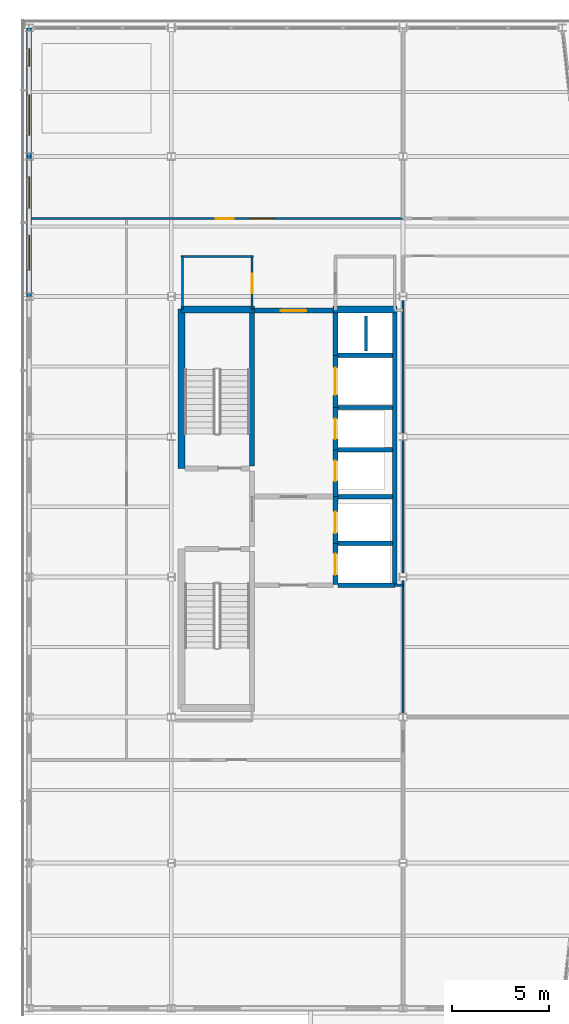
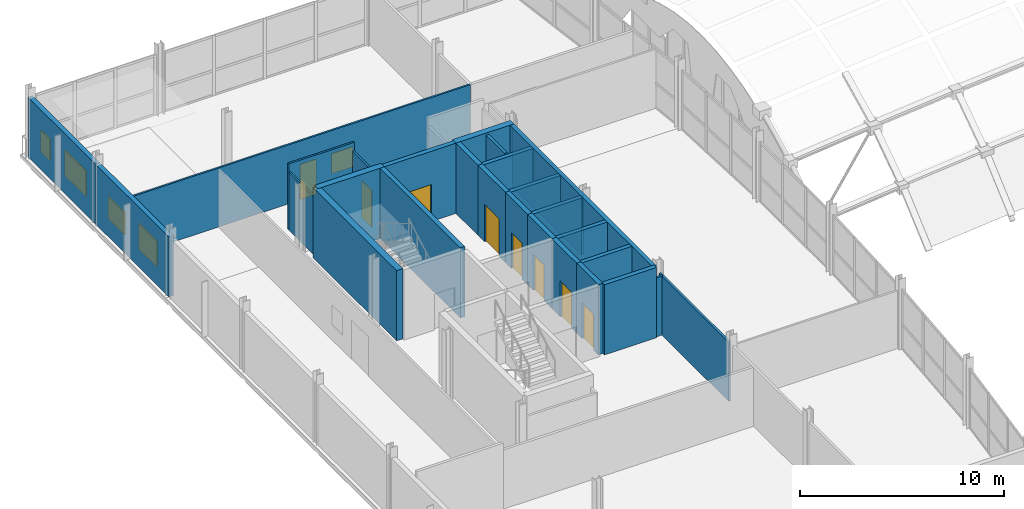
# One storey, part 55 of 65: 29 walls, 8 doors, 5 windows, 13 openings.
"""IFC4 building model written with IfcOpenShell, lengths in metres."""

from ifc_helpers import new_model, si_unit, direction, frame, frame_2d, origin, place, context, subcontext, project, spatial, rectangle, extrude, material, layer, layer_set, type_object, element, fill, save


model = new_model("IFC4")

# Units and contexts
model_context = context("Model", 3, precision=1e-05, world=origin(), true_north=direction((0.0, 1.0)))
body_context = subcontext(model_context, "Body", "Model", "MODEL_VIEW")
ifc_project = project(units=[si_unit("LENGTHUNIT", "METRE"), si_unit("AREAUNIT", "SQUARE_METRE"), si_unit("VOLUMEUNIT", "CUBIC_METRE"), si_unit("PLANEANGLEUNIT", "RADIAN"), si_unit("MASSUNIT", "GRAM", prefix="KILO")], contexts=[model_context])

# Site, building, storey
site_placement = place(None, origin())
site = spatial("IfcSite", under=ifc_project, at=site_placement, CompositionType="ELEMENT")
building_placement = place(site_placement, origin())
building = spatial("IfcBuilding", under=site, at=building_placement, Name="Quillay Park Conservatory", CompositionType="ELEMENT")
storey_placement = place(building_placement, frame((0.0, 0.0, 14.10009765625)))
storey = spatial("IfcBuildingStorey", under=building, at=storey_placement, Name="L03", CompositionType="ELEMENT", Elevation=14.10009765625)

# Wall, openings, window, door
ifc_material_1 = material(Name="Steel-Stud Acoustic Gypsum Board Partition", Category="steel")
ifc_layer_1 = layer(ifc_material_1, 0.10009765625)
ifc_layer_set_1 = layer_set([ifc_layer_1], Name="ACOUSTIC GYPSUM PARTITION 100 (Steel-Stud Acoustic Gypsum Board Partition)")
wall_type_1 = type_object("IfcWallType", Name="ACOUSTIC GYPSUM PARTITION 100", PredefinedType="PARTITIONING", material=ifc_layer_set_1)
wall_1_placement = place(storey_placement, frame((0.64990234375, 103.60009765625, 0.0), z_axis=(0.0, 0.0, 1.0), x_axis=(1.0, 0.0, 0.0)))
wall_1 = element("IfcWall", 1, at=wall_1_placement, inside=storey, type_object=wall_type_1, Name="L03 Chromatography Mass-Spectrometry Suite South Wall", PredefinedType="PARTITIONING", context=body_context, shape_type="SweptSolid", body=[
    extrude(rectangle(XDim=19.10009765625, YDim=0.10009765625, at=frame_2d((9.550048828125, 0.0))), origin(), (0.0, 0.0, 1.0), 3.52685546875),
])
opening_1_placement = place(wall_1_placement, frame((9.489990234375, 0.0, 0.0)))
opening_1 = element("IfcOpeningElement", 2, at=opening_1_placement, cuts=wall_1, Name="Opening D-RM01", PredefinedType="OPENING", context=body_context, shape_type="SweptSolid", body=[
    extrude(rectangle(XDim=0.919921875, YDim=2.10009765625, at=frame_2d((0.4599609375, 1.050048828125))), frame((0.0, 0.050048828125, 0.0), z_axis=(0.0, -1.0, 0.0), x_axis=(1.0, 0.0, 0.0)), (0.0, 0.0, 1.0), 0.10009765625),
])
opening_2_placement = place(wall_1_placement, frame((11.260009765625, 0.0, 0.919921875)))
opening_2 = element("IfcOpeningElement", 3, at=opening_2_placement, cuts=wall_1, Name="Opening W-IN07", PredefinedType="OPENING", context=body_context, shape_type="SweptSolid", body=[
    extrude(rectangle(XDim=1.199951171875, YDim=1.199951171875, at=frame_2d((0.60009765625, 0.60009765625))), frame((0.0, 0.050048828125, 0.0), z_axis=(0.0, -1.0, 0.0), x_axis=(1.0, 0.0, 0.0)), (0.0, 0.0, 1.0), 0.10009765625),
])
ifc_material_2 = material(Name="Low-E Double Glazing (Laminated Tempered)", Category="glass")
window_type_1 = type_object("IfcWindowType", Name="OPERABLE VENT WINDOW 1200 X1200", PartitioningType="SINGLE_PANEL", PredefinedType="WINDOW", material=ifc_material_2)
window_1_placement = place(opening_2_placement, origin())
window_1 = element("IfcWindow", 4, at=window_1_placement, inside=storey, type_object=window_type_1, Name="L03 Laboratory Vision Panel 019", OverallHeight=1.199951171875, OverallWidth=1.199951171875, PartitioningType="SINGLE_PANEL", PredefinedType="WINDOW", context=body_context, shape_type="SweptSolid", body=[
    extrude(rectangle(XDim=1.199951171875, YDim=1.199951171875, at=frame_2d((0.60009765625, 0.60009765625))), frame((0.0, 0.030029296875, 0.0), z_axis=(0.0, -1.0, 0.0), x_axis=(1.0, 0.0, 0.0)), (0.0, 0.0, 1.0), 0.06005859375),
])
fill(opening_2, window_1)
ifc_material_3 = material(Name="Thermally Broken Anodised Aluminium 6063-T6", Category="aluminium")
door_type_1 = type_object("IfcDoorType", Name="SINGLE SWING DOOR 920 X2100", OperationType="NOTDEFINED", PredefinedType="DOOR", material=ifc_material_3)
door_1_placement = place(opening_1_placement, origin())
door_1 = element("IfcDoor", 5, at=door_1_placement, inside=storey, type_object=door_type_1, Name="L03 Door to Chromatography Mass-Spectrometry Suite", OperationType="SINGLE_SWING_LEFT", OverallHeight=2.10009765625, OverallWidth=0.919921875, PredefinedType="DOOR", context=body_context, shape_type="SweptSolid", body=[
    extrude(rectangle(XDim=0.919921875, YDim=2.10009765625, at=frame_2d((0.4599609375, 1.050048828125))), frame((0.0, 0.02490234375, 0.0), z_axis=(0.0, -1.0, 0.0), x_axis=(1.0, 0.0, 0.0)), (0.0, 0.0, 1.0), 0.050048828125),
])
fill(opening_1, door_1)

# Wall, opening, door
ifc_material_4 = material(Name="Steel-Stud Acoustic Gypsum Board Partition", Category="steel")
ifc_layer_2 = layer(ifc_material_4, 0.10498046875)
ifc_layer_set_2 = layer_set([ifc_layer_2], Name="ACOUSTIC GYPSUM PARTITION 105 (Steel-Stud Acoustic Gypsum Board Partition)")
wall_type_2 = type_object("IfcWallType", Name="ACOUSTIC GYPSUM PARTITION 105", PredefinedType="PARTITIONING", material=ifc_layer_set_2)
wall_2_placement = place(storey_placement, frame((12.0, 101.60009765625, 0.0), z_axis=(0.0, 0.0, 1.0), x_axis=(0.0, -1.0, 0.0)))
wall_2 = element("IfcWall", 6, at=wall_2_placement, inside=storey, type_object=wall_type_2, Name="L03 Accessible WC Door Wall", PredefinedType="PARTITIONING", context=body_context, shape_type="SweptSolid", body=[
    extrude(rectangle(XDim=2.68017578125, YDim=0.10498046875, at=frame_2d((1.340087890625, 0.0))), origin(), (0.0, 0.0, 1.0), 3.450927734375),
])
opening_3_placement = place(wall_2_placement, frame((0.840087890625, 0.0, 0.0)))
opening_3 = element("IfcOpeningElement", 7, at=opening_3_placement, cuts=wall_2, Name="Opening D-RM14", PredefinedType="OPENING", context=body_context, shape_type="SweptSolid", body=[
    extrude(rectangle(XDim=1.0, YDim=2.199951171875, at=frame_2d((0.5, 1.10009765625))), frame((0.0, 0.052490234375, 0.0), z_axis=(0.0, -1.0, 0.0), x_axis=(1.0, 0.0, 0.0)), (0.0, 0.0, 1.0), 0.10498046875),
])
ifc_material_5 = material(Name="Thermally Broken Anodised Aluminium 6063-T6", Category="aluminium")
door_type_2 = type_object("IfcDoorType", Name="SINGLE SWING DOOR 1000 X2200", OperationType="NOTDEFINED", PredefinedType="DOOR", material=ifc_material_5)
door_2_placement = place(opening_3_placement, origin())
door_2 = element("IfcDoor", 8, at=door_2_placement, inside=storey, type_object=door_type_2, Name="L03 Door to L03 Accessible WC", OperationType="SINGLE_SWING_LEFT", OverallHeight=2.199951171875, OverallWidth=1.0, PredefinedType="DOOR", context=body_context, shape_type="SweptSolid", body=[
    extrude(rectangle(XDim=1.0, YDim=2.199951171875, at=frame_2d((0.5, 1.10009765625))), frame((0.0, 0.02490234375, 0.0), z_axis=(0.0, -1.0, 0.0), x_axis=(1.0, 0.0, 0.0)), (0.0, 0.0, 1.0), 0.050048828125),
])
fill(opening_3, door_2)

# Walls
ifc_material_6 = material(Name="Steel-Stud Acoustic Gypsum Board Partition", Category="steel")
ifc_layer_3 = layer(ifc_material_6, 0.110107421875)
ifc_layer_set_3 = layer_set([ifc_layer_3], Name="ACOUSTIC GYPSUM PARTITION 110 (Steel-Stud Acoustic Gypsum Board Partition)")
wall_type_3 = type_object("IfcWallType", Name="ACOUSTIC GYPSUM PARTITION 110", PredefinedType="PARTITIONING", material=ifc_layer_set_3)
wall_3_placement = place(storey_placement, frame((8.360107421875, 101.659912109375, 0.0), z_axis=(0.0, 0.0, 1.0), x_axis=(1.0, 0.0, 0.0)))
element("IfcWall", 9, at=wall_3_placement, inside=storey, type_object=wall_type_3, Name="L03 Accessible WC North Wall", PredefinedType="PARTITIONING", context=body_context, shape_type="SweptSolid", body=[
    extrude(rectangle(XDim=3.699951171875, YDim=0.110107421875, at=frame_2d((1.85009765625, 0.0))), origin(), (0.0, 0.0, 1.0), 3.949951171875),
])
ifc_material_7 = material(Name="Steel-Stud Acoustic Gypsum Board Partition", Category="steel")
ifc_layer_4 = layer(ifc_material_7, 0.114990234375)
ifc_layer_set_4 = layer_set([ifc_layer_4], Name="ACOUSTIC GYPSUM PARTITION 115 (Steel-Stud Acoustic Gypsum Board Partition)")
wall_type_4 = type_object("IfcWallType", Name="ACOUSTIC GYPSUM PARTITION 115", PredefinedType="PARTITIONING", material=ifc_layer_set_4)
wall_4_placement = place(storey_placement, frame((8.419921875, 98.919921875, 0.0), z_axis=(0.0, 0.0, 1.0), x_axis=(0.0, 1.0, 0.0)))
element("IfcWall", 10, at=wall_4_placement, inside=storey, type_object=wall_type_4, Name="L03 Accessible WC West Wall", PredefinedType="PARTITIONING", context=body_context, shape_type="SweptSolid", body=[
    extrude(rectangle(XDim=2.739990234375, YDim=0.114990234375, at=frame_2d((1.3701171875, 0.0))), origin(), (0.0, 0.0, 1.0), 3.450927734375),
])
wall_5_placement = place(storey_placement, frame((19.75, 92.5849609375, 0.0), z_axis=(0.0, 0.0, 1.0), x_axis=(0.0, 1.0, 0.0)))
element("IfcWall", 11, at=wall_5_placement, inside=storey, type_object=wall_type_4, Name="L03 Secondary Metabolite Bioassay Laboratory West Wall 3", PredefinedType="PARTITIONING", context=body_context, shape_type="SweptSolid", body=[
    extrude(rectangle(XDim=6.822509765625, YDim=0.114990234375, at=frame_2d((3.4111328125, 0.0))), origin(), (0.0, 0.0, 1.0), 3.52685546875),
])
ifc_material_8 = material(Name="Steel-Stud Acoustic Gypsum Board Partition", Category="steel")
ifc_layer_5 = layer(ifc_material_8, 0.1201171875)
ifc_layer_set_5 = layer_set([ifc_layer_5], Name="ACOUSTIC GYPSUM PARTITION 120 (Steel-Stud Acoustic Gypsum Board Partition)")
wall_type_5 = type_object("IfcWallType", Name="ACOUSTIC GYPSUM PARTITION 120", PredefinedType="PARTITIONING", material=ifc_layer_set_5)
wall_6_placement = place(storey_placement, frame((19.75, 85.392578125, 0.0), z_axis=(0.0, 0.0, 1.0), x_axis=(0.0, 1.0, 0.0)))
element("IfcWall", 12, at=wall_6_placement, inside=storey, type_object=wall_type_5, Name="L03 Secondary Metabolite Bioassay Laboratory West Wall 2", PredefinedType="PARTITIONING", context=body_context, shape_type="SweptSolid", body=[
    extrude(rectangle(XDim=6.822509765625, YDim=0.1201171875, at=frame_2d((3.4111328125, 0.0))), origin(), (0.0, 0.0, 1.0), 3.52685546875),
])
ifc_material_9 = material(Name="Steel-Stud Acoustic Gypsum Board Partition", Category="steel")
ifc_layer_6 = layer(ifc_material_9, 0.125)
ifc_layer_set_6 = layer_set([ifc_layer_6], Name="ACOUSTIC GYPSUM PARTITION 125 (Steel-Stud Acoustic Gypsum Board Partition)")
wall_type_6 = type_object("IfcWallType", Name="ACOUSTIC GYPSUM PARTITION 125", PredefinedType="PARTITIONING", material=ifc_layer_set_6)
wall_7_placement = place(storey_placement, frame((19.320068359375, 84.77490234375, 0.0), z_axis=(0.0, 0.0, 1.0), x_axis=(1.0, 0.0, 0.0)))
element("IfcWall", 13, at=wall_7_placement, inside=storey, type_object=wall_type_6, Name="L03 Core South-East Closure", PredefinedType="PARTITIONING", context=body_context, shape_type="SweptSolid", body=[
    extrude(rectangle(XDim=0.429931640625, YDim=0.125, at=frame_2d((0.21484375, 0.0))), origin(), (0.0, 0.0, 1.0), 3.52685546875),
])
wall_8_placement = place(storey_placement, frame((19.75, 78.18505859375, 0.0), z_axis=(0.0, 0.0, 1.0), x_axis=(0.0, 1.0, 0.0)))
element("IfcWall", 14, at=wall_8_placement, inside=storey, type_object=wall_type_6, Name="L03 Secondary Metabolite Bioassay Laboratory West Wall 1", PredefinedType="PARTITIONING", context=body_context, shape_type="SweptSolid", body=[
    extrude(rectangle(XDim=6.822509765625, YDim=0.125, at=frame_2d((3.4111328125, 0.0))), origin(), (0.0, 0.0, 1.0), 3.52685546875),
])
ifc_material_10 = material(Name="Concrete C35/45 (NCh170 Concrete C35/45)", Category="concrete")
ifc_layer_7 = layer(ifc_material_10, 0.22509765625)
ifc_layer_set_7 = layer_set([ifc_layer_7], Name="CORE SHEAR WALL 225 (Concrete C35/45 (NCh170 Concrete C35/45))")
wall_type_7 = type_object("IfcWallType", Name="CORE SHEAR WALL 225", PredefinedType="SHEAR", material=ifc_layer_set_7)
wall_9_placement = place(storey_placement, frame((19.320068359375, 84.800048828125, 0.0), z_axis=(0.0, 0.0, 1.0), x_axis=(0.0, 1.0, 0.0)))
element("IfcWall", 15, at=wall_9_placement, inside=storey, type_object=wall_type_7, Name="L03 Core Shear Wall WL-LFBACK-L03", PredefinedType="SHEAR", context=body_context, shape_type="SweptSolid", body=[
    extrude(rectangle(XDim=13.949951171875, YDim=0.22509765625, at=frame_2d((6.97509765625, 0.0))), origin(), (0.0, 0.0, 1.0), 4.199951171875),
])
for number, where, z_axis, x_axis, name in (
    (16, (16.39990234375, 86.925048828125, 0.0), (0.0, 0.0, 1.0), (1.0, 0.0, 0.0), "L03 Core Shear Wall WL-LFDIV-L03-869"),
    (17, (16.39990234375, 89.324951171875, 0.0), (0.0, 0.0, 1.0), (1.0, 0.0, 0.0), "L03 Core Shear Wall WL-LFDIV-L03-893"),
    (18, (16.39990234375, 91.72509765625, 0.0), (0.0, 0.0, 1.0), (1.0, 0.0, 0.0), "L03 Core Shear Wall WL-LFDIV-L03-917"),
    (19, (16.39990234375, 93.89990234375, 0.0), (0.0, 0.0, 1.0), (1.0, 0.0, 0.0), "L03 Core Shear Wall WL-LFDIV-L03-939"),
    (20, (16.39990234375, 96.574951171875, 0.0), (0.0, 0.0, 1.0), (1.0, 0.0, 0.0), "L03 Core Shear Wall WL-LFDIV-L03-965"),
):
    element("IfcWall", number, at=place(storey_placement, frame(where, z_axis=z_axis, x_axis=x_axis)), inside=storey, type_object=wall_type_7, Name=name, PredefinedType="SHEAR", context=body_context, shape_type="SweptSolid", body=[
        extrude(rectangle(XDim=2.800048828125, YDim=0.22509765625, at=frame_2d((1.39990234375, 0.0))), origin(), (0.0, 0.0, 1.0), 4.199951171875),
    ])
ifc_material_11 = material(Name="Concrete C40/50 (NCh170 Concrete C40/50)", Category="concrete")
ifc_layer_8 = layer(ifc_material_11, 0.25)
ifc_layer_set_8 = layer_set([ifc_layer_8], Name="CORE SHEAR WALL 250 (Concrete C40/50 (NCh170 Concrete C40/50))")
wall_type_8 = type_object("IfcWallType", Name="CORE SHEAR WALL 250", PredefinedType="SHEAR", material=ifc_layer_set_8)
wall_10_placement = place(storey_placement, frame((11.9951171875, 90.89990234375, 0.0), z_axis=(0.0, 0.0, 1.0), x_axis=(0.0, 1.0, 0.0)))
element("IfcWall", 21, at=wall_10_placement, inside=storey, type_object=wall_type_8, Name="L03 Core Shear Wall WL-T1E-L03", PredefinedType="SHEAR", context=body_context, shape_type="SweptSolid", body=[
    extrude(rectangle(XDim=7.85009765625, YDim=0.25, at=frame_2d((3.925048828125, 0.0))), origin(), (0.0, 0.0, 1.0), 4.199951171875),
])

# Wall, opening, door
wall_11_placement = place(storey_placement, frame((12.1201171875, 98.875, 0.0), z_axis=(0.0, 0.0, 1.0), x_axis=(1.0, 0.0, 0.0)))
wall_11 = element("IfcWall", 22, at=wall_11_placement, inside=storey, type_object=wall_type_8, Name="L03 Core Shear Wall WL-PAXN-L03", PredefinedType="SHEAR", context=body_context, shape_type="SweptSolid", body=[
    extrude(rectangle(XDim=4.02978515625, YDim=0.25, at=frame_2d((2.014892578125, 0.0))), origin(), (0.0, 0.0, 1.0), 4.199951171875),
])
opening_4_placement = place(wall_11_placement, frame((1.35009765625, 0.0, 0.0)))
opening_4 = element("IfcOpeningElement", 23, at=opening_4_placement, cuts=wall_11, Name="Opening D-LB02", PredefinedType="OPENING", context=body_context, shape_type="SweptSolid", body=[
    extrude(rectangle(XDim=1.300048828125, YDim=2.199951171875, at=frame_2d((0.64990234375, 1.10009765625))), frame((0.0, 0.125, 0.0), z_axis=(0.0, -1.0, 0.0), x_axis=(1.0, 0.0, 0.0)), (0.0, 0.0, 1.0), 0.25),
])
ifc_material_12 = material(Name="Steel ASTM A572 Grade 50", Category="steel")
door_type_3 = type_object("IfcDoorType", Name="FIRE RATED LOBBY DOOR 1300 X2200", OperationType="NOTDEFINED", PredefinedType="DOOR", material=ifc_material_12)
door_3_placement = place(opening_4_placement, origin())
door_3 = element("IfcDoor", 24, at=door_3_placement, inside=storey, type_object=door_type_3, Name="L03 North Lift Lobby Door", OperationType="SINGLE_SWING_RIGHT", OverallHeight=2.199951171875, OverallWidth=1.300048828125, PredefinedType="DOOR", context=body_context, shape_type="SweptSolid", body=[
    extrude(rectangle(XDim=1.300048828125, YDim=2.199951171875, at=frame_2d((0.64990234375, 1.10009765625))), frame((0.0, 0.02490234375, 0.0), z_axis=(0.0, -1.0, 0.0), x_axis=(1.0, 0.0, 0.0)), (0.0, 0.0, 1.0), 0.050048828125),
])
fill(opening_4, door_3)

# Wall
wall_12_placement = place(storey_placement, frame((16.39990234375, 84.77490234375, 0.0), z_axis=(0.0, 0.0, 1.0), x_axis=(1.0, 0.0, 0.0)))
element("IfcWall", 25, at=wall_12_placement, inside=storey, type_object=wall_type_8, Name="L03 Core Shear Wall WL-LFSO-L03", PredefinedType="SHEAR", context=body_context, shape_type="SweptSolid", body=[
    extrude(rectangle(XDim=2.9501953125, YDim=0.25, at=frame_2d((1.47509765625, 0.0))), origin(), (0.0, 0.0, 1.0), 4.199951171875),
])

# Wall, opening, door
wall_13_placement = place(storey_placement, frame((16.27490234375, 84.800048828125, 0.0), z_axis=(0.0, 0.0, 1.0), x_axis=(0.0, 1.0, 0.0)))
wall_13 = element("IfcWall", 26, at=wall_13_placement, inside=storey, type_object=wall_type_8, Name="L03 Core Shear Wall WL-LFFR-L03-LF-FF1", PredefinedType="SHEAR", context=body_context, shape_type="SweptSolid", body=[
    extrude(rectangle(XDim=2.125, YDim=0.25, at=frame_2d((1.0625, 0.0))), origin(), (0.0, 0.0, 1.0), 4.199951171875),
])
opening_5_placement = place(wall_13_placement, frame((0.5, 0.0, 0.0)))
opening_5 = element("IfcOpeningElement", 27, at=opening_5_placement, cuts=wall_13, Name="Opening LD01", PredefinedType="OPENING", context=body_context, shape_type="SweptSolid", body=[
    extrude(rectangle(XDim=1.10009765625, YDim=2.14990234375, at=frame_2d((0.550048828125, 1.074951171875))), frame((0.0, 0.125, 0.0), z_axis=(0.0, -1.0, 0.0), x_axis=(1.0, 0.0, 0.0)), (0.0, 0.0, 1.0), 0.25),
])
ifc_material_13 = material(Name="Steel ASTM A572 Grade 50", Category="steel")
door_type_4 = type_object("IfcDoorType", Name="LIFT LANDING SLIDING DOOR 1100 X2150", OperationType="NOTDEFINED", PredefinedType="DOOR", material=ifc_material_13)
door_4_placement = place(opening_5_placement, origin())
door_4 = element("IfcDoor", 28, at=door_4_placement, inside=storey, type_object=door_type_4, Name="L03 LF-FF1 Lift Landing Door LD01", OperationType="SLIDING_TO_LEFT", OverallHeight=2.14990234375, OverallWidth=1.10009765625, PredefinedType="DOOR", context=body_context, shape_type="SweptSolid", body=[
    extrude(rectangle(XDim=1.10009765625, YDim=2.14990234375, at=frame_2d((0.550048828125, 1.074951171875))), frame((0.0, 0.02490234375, 0.0), z_axis=(0.0, -1.0, 0.0), x_axis=(1.0, 0.0, 0.0)), (0.0, 0.0, 1.0), 0.050048828125),
])
fill(opening_5, door_4)

wall_14_placement = place(storey_placement, frame((16.27490234375, 86.925048828125, 0.0), z_axis=(0.0, 0.0, 1.0), x_axis=(0.0, 1.0, 0.0)))
wall_14 = element("IfcWall", 29, at=wall_14_placement, inside=storey, type_object=wall_type_8, Name="L03 Core Shear Wall WL-LFFR-L03-LF-FF2", PredefinedType="SHEAR", context=body_context, shape_type="SweptSolid", body=[
    extrude(rectangle(XDim=2.39990234375, YDim=0.25, at=frame_2d((1.199951171875, 0.0))), origin(), (0.0, 0.0, 1.0), 4.199951171875),
])
opening_6_placement = place(wall_14_placement, frame((0.52490234375, 0.0, 0.0)))
opening_6 = element("IfcOpeningElement", 30, at=opening_6_placement, cuts=wall_14, Name="Opening LD01", PredefinedType="OPENING", context=body_context, shape_type="SweptSolid", body=[
    extrude(rectangle(XDim=1.10009765625, YDim=2.14990234375, at=frame_2d((0.550048828125, 1.074951171875))), frame((0.0, 0.125, 0.0), z_axis=(0.0, -1.0, 0.0), x_axis=(1.0, 0.0, 0.0)), (0.0, 0.0, 1.0), 0.25),
])
door_5_placement = place(opening_6_placement, origin())
door_5 = element("IfcDoor", 31, at=door_5_placement, inside=storey, type_object=door_type_4, Name="L03 LF-FF2 Lift Landing Door LD01", OperationType="SLIDING_TO_LEFT", OverallHeight=2.14990234375, OverallWidth=1.10009765625, PredefinedType="DOOR", context=body_context, shape_type="SweptSolid", body=[
    extrude(rectangle(XDim=1.10009765625, YDim=2.14990234375, at=frame_2d((0.550048828125, 1.074951171875))), frame((0.0, 0.02490234375, 0.0), z_axis=(0.0, -1.0, 0.0), x_axis=(1.0, 0.0, 0.0)), (0.0, 0.0, 1.0), 0.050048828125),
])
fill(opening_6, door_5)

wall_15_placement = place(storey_placement, frame((16.27490234375, 89.324951171875, 0.0), z_axis=(0.0, 0.0, 1.0), x_axis=(0.0, 1.0, 0.0)))
wall_15 = element("IfcWall", 32, at=wall_15_placement, inside=storey, type_object=wall_type_8, Name="L03 Core Shear Wall WL-LFFR-L03-LF-P1", PredefinedType="SHEAR", context=body_context, shape_type="SweptSolid", body=[
    extrude(rectangle(XDim=2.400146484375, YDim=0.25, at=frame_2d((1.2001953125, 0.0))), origin(), (0.0, 0.0, 1.0), 4.199951171875),
])
opening_7_placement = place(wall_15_placement, frame((0.800048828125, 0.0, 0.0)))
opening_7 = element("IfcOpeningElement", 33, at=opening_7_placement, cuts=wall_15, Name="Opening LD02", PredefinedType="OPENING", context=body_context, shape_type="SweptSolid", body=[
    extrude(rectangle(XDim=1.050048828125, YDim=2.14990234375, at=frame_2d((0.52490234375, 1.074951171875))), frame((0.0, 0.125, 0.0), z_axis=(0.0, -1.0, 0.0), x_axis=(1.0, 0.0, 0.0)), (0.0, 0.0, 1.0), 0.25),
])
ifc_material_14 = material(Name="Steel ASTM A572 Grade 50", Category="steel")
door_type_5 = type_object("IfcDoorType", Name="LIFT LANDING SLIDING DOOR 1050 X2150", OperationType="NOTDEFINED", PredefinedType="DOOR", material=ifc_material_14)
door_6_placement = place(opening_7_placement, origin())
door_6 = element("IfcDoor", 34, at=door_6_placement, inside=storey, type_object=door_type_5, Name="L03 LF-P1 Lift Landing Door LD02", OperationType="SLIDING_TO_LEFT", OverallHeight=2.14990234375, OverallWidth=1.050048828125, PredefinedType="DOOR", context=body_context, shape_type="SweptSolid", body=[
    extrude(rectangle(XDim=1.050048828125, YDim=2.14990234375, at=frame_2d((0.52490234375, 1.074951171875))), frame((0.0, 0.02490234375, 0.0), z_axis=(0.0, -1.0, 0.0), x_axis=(1.0, 0.0, 0.0)), (0.0, 0.0, 1.0), 0.050048828125),
])
fill(opening_7, door_6)

wall_16_placement = place(storey_placement, frame((16.27490234375, 91.72509765625, 0.0), z_axis=(0.0, 0.0, 1.0), x_axis=(0.0, 1.0, 0.0)))
wall_16 = element("IfcWall", 35, at=wall_16_placement, inside=storey, type_object=wall_type_8, Name="L03 Core Shear Wall WL-LFFR-L03-LF-P2", PredefinedType="SHEAR", context=body_context, shape_type="SweptSolid", body=[
    extrude(rectangle(XDim=2.1748046875, YDim=0.25, at=frame_2d((1.08740234375, 0.0))), origin(), (0.0, 0.0, 1.0), 4.199951171875),
])
opening_8_placement = place(wall_16_placement, frame((0.550048828125, 0.0, 0.0)))
opening_8 = element("IfcOpeningElement", 36, at=opening_8_placement, cuts=wall_16, Name="Opening LD02", PredefinedType="OPENING", context=body_context, shape_type="SweptSolid", body=[
    extrude(rectangle(XDim=1.050048828125, YDim=2.14990234375, at=frame_2d((0.52490234375, 1.074951171875))), frame((0.0, 0.125, 0.0), z_axis=(0.0, -1.0, 0.0), x_axis=(1.0, 0.0, 0.0)), (0.0, 0.0, 1.0), 0.25),
])
door_7_placement = place(opening_8_placement, origin())
door_7 = element("IfcDoor", 37, at=door_7_placement, inside=storey, type_object=door_type_5, Name="L03 LF-P2 Lift Landing Door LD02", OperationType="SLIDING_TO_LEFT", OverallHeight=2.14990234375, OverallWidth=1.050048828125, PredefinedType="DOOR", context=body_context, shape_type="SweptSolid", body=[
    extrude(rectangle(XDim=1.050048828125, YDim=2.14990234375, at=frame_2d((0.52490234375, 1.074951171875))), frame((0.0, 0.02490234375, 0.0), z_axis=(0.0, -1.0, 0.0), x_axis=(1.0, 0.0, 0.0)), (0.0, 0.0, 1.0), 0.050048828125),
])
fill(opening_8, door_7)

wall_17_placement = place(storey_placement, frame((16.27490234375, 93.89990234375, 0.0), z_axis=(0.0, 0.0, 1.0), x_axis=(0.0, 1.0, 0.0)))
wall_17 = element("IfcWall", 38, at=wall_17_placement, inside=storey, type_object=wall_type_8, Name="L03 Core Shear Wall WL-LFFR-L03-LF-G1", PredefinedType="SHEAR", context=body_context, shape_type="SweptSolid", body=[
    extrude(rectangle(XDim=2.675048828125, YDim=0.25, at=frame_2d((1.33740234375, 0.0))), origin(), (0.0, 0.0, 1.0), 4.199951171875),
])
opening_9_placement = place(wall_17_placement, frame((0.64990234375, 0.0, 0.0)))
opening_9 = element("IfcOpeningElement", 39, at=opening_9_placement, cuts=wall_17, Name="Opening LD03", PredefinedType="OPENING", context=body_context, shape_type="SweptSolid", body=[
    extrude(rectangle(XDim=1.39990234375, YDim=2.25, at=frame_2d((0.699951171875, 1.125))), frame((0.0, 0.125, 0.0), z_axis=(0.0, -1.0, 0.0), x_axis=(1.0, 0.0, 0.0)), (0.0, 0.0, 1.0), 0.25),
])
ifc_material_15 = material(Name="Steel ASTM A572 Grade 50", Category="steel")
door_type_6 = type_object("IfcDoorType", Name="LIFT LANDING SLIDING DOOR 1400 X2250", OperationType="NOTDEFINED", PredefinedType="DOOR", material=ifc_material_15)
door_8_placement = place(opening_9_placement, origin())
door_8 = element("IfcDoor", 40, at=door_8_placement, inside=storey, type_object=door_type_6, Name="L03 LF-G1 Lift Landing Door LD03", OperationType="SLIDING_TO_LEFT", OverallHeight=2.25, OverallWidth=1.39990234375, PredefinedType="DOOR", context=body_context, shape_type="SweptSolid", body=[
    extrude(rectangle(XDim=1.39990234375, YDim=2.25, at=frame_2d((0.699951171875, 1.125))), frame((0.0, 0.02490234375, 0.0), z_axis=(0.0, -1.0, 0.0), x_axis=(1.0, 0.0, 0.0)), (0.0, 0.0, 1.0), 0.050048828125),
])
fill(opening_9, door_8)

# Walls
wall_18_placement = place(storey_placement, frame((16.27490234375, 96.574951171875, 0.0), z_axis=(0.0, 0.0, 1.0), x_axis=(0.0, 1.0, 0.0)))
element("IfcWall", 41, at=wall_18_placement, inside=storey, type_object=wall_type_8, Name="L03 Core Shear Wall WL-MEPR-L03", PredefinedType="SHEAR", context=body_context, shape_type="SweptSolid", body=[
    extrude(rectangle(XDim=2.175048828125, YDim=0.25, at=frame_2d((1.08740234375, 0.0))), origin(), (0.0, 0.0, 1.0), 4.199951171875),
])
ifc_material_16 = material(Name="Concrete C40/50 (NCh170 Concrete C40/50)", Category="concrete")
ifc_layer_9 = layer(ifc_material_16, 0.35009765625)
ifc_layer_set_9 = layer_set([ifc_layer_9], Name="CORE SHEAR WALL 350 (Concrete C40/50 (NCh170 Concrete C40/50))")
wall_type_9 = type_object("IfcWallType", Name="CORE SHEAR WALL 350", PredefinedType="SHEAR", material=ifc_layer_set_9)
wall_19_placement = place(storey_placement, frame((8.375, 90.77490234375, 0.0), z_axis=(0.0, 0.0, 1.0), x_axis=(0.0, 1.0, 0.0)))
element("IfcWall", 42, at=wall_19_placement, inside=storey, type_object=wall_type_9, Name="L03 Core Shear Wall WL-TCW-N-L03", PredefinedType="SHEAR", context=body_context, shape_type="SweptSolid", body=[
    extrude(rectangle(XDim=8.175048828125, YDim=0.35009765625, at=frame_2d((4.08740234375, 0.0))), origin(), (0.0, 0.0, 1.0), 4.199951171875),
])
wall_20_placement = place(storey_placement, frame((8.35009765625, 98.925048828125, 0.0), z_axis=(0.0, 0.0, 1.0), x_axis=(1.0, 0.0, 0.0)))
element("IfcWall", 43, at=wall_20_placement, inside=storey, type_object=wall_type_9, Name="L03 Core Shear Wall WL-TCN-W-L03", PredefinedType="SHEAR", context=body_context, shape_type="SweptSolid", body=[
    extrude(rectangle(XDim=3.77001953125, YDim=0.35009765625, at=frame_2d((1.885009765625, 0.0))), origin(), (0.0, 0.0, 1.0), 4.199951171875),
])
wall_21_placement = place(storey_placement, frame((16.14990234375, 98.925048828125, 0.0), z_axis=(0.0, 0.0, 1.0), x_axis=(1.0, 0.0, 0.0)))
element("IfcWall", 44, at=wall_21_placement, inside=storey, type_object=wall_type_9, Name="L03 Core Shear Wall WL-TCN-E-L03", PredefinedType="SHEAR", context=body_context, shape_type="SweptSolid", body=[
    extrude(rectangle(XDim=3.300048828125, YDim=0.35009765625, at=frame_2d((1.64990234375, 0.0))), origin(), (0.0, 0.0, 1.0), 4.199951171875),
])

# Wall, openings, windows
ifc_material_17 = material(Name="Glass-Fibre Reinforced Concrete (GRC) Cladding", Category="concrete")
ifc_layer_10 = layer(ifc_material_17, 0.260009765625)
ifc_layer_set_10 = layer_set([ifc_layer_10], Name="EXTERIOR SOLID WALL 260 (Glass-Fibre Reinforced Concrete (GRC) Cladding)")
wall_type_10 = type_object("IfcWallType", Name="EXTERIOR SOLID WALL 260", PredefinedType="SOLIDWALL", material=ifc_layer_set_10)
wall_22_placement = place(storey_placement, frame((0.550048828125, 99.60009765625, 0.0), z_axis=(0.0, 0.0, 1.0), x_axis=(0.0, 1.0, 0.0)))
wall_22 = element("IfcWall", 45, at=wall_22_placement, inside=storey, type_object=wall_type_10, Name="L03 External Wall WL-EXT-V4W-L03-5", PredefinedType="SOLIDWALL", context=body_context, shape_type="SweptSolid", body=[
    extrude(rectangle(XDim=7.199951171875, YDim=0.260009765625, at=frame_2d((3.60009765625, 0.0))), origin(), (0.0, 0.0, 1.0), 3.576904296875),
])
opening_10_placement = place(wall_22_placement, frame((1.35498046875, 0.0, 0.919921875)))
opening_10 = element("IfcOpeningElement", 46, at=opening_10_placement, cuts=wall_22, Name="Opening W-09", PredefinedType="OPENING", context=body_context, shape_type="SweptSolid", body=[
    extrude(rectangle(XDim=1.800048828125, YDim=1.550048828125, at=frame_2d((0.89990234375, 0.77490234375))), frame((0.0, 0.1298828125, 0.0), z_axis=(0.0, -1.0, 0.0), x_axis=(1.0, 0.0, 0.0)), (0.0, 0.0, 1.0), 0.260009765625),
])
opening_11_placement = place(wall_22_placement, frame((4.544921875, 0.0, 0.919921875)))
opening_11 = element("IfcOpeningElement", 47, at=opening_11_placement, cuts=wall_22, Name="Opening W-19", PredefinedType="OPENING", context=body_context, shape_type="SweptSolid", body=[
    extrude(rectangle(XDim=1.60009765625, YDim=1.35009765625, at=frame_2d((0.800048828125, 0.675048828125))), frame((0.0, 0.1298828125, 0.0), z_axis=(0.0, -1.0, 0.0), x_axis=(1.0, 0.0, 0.0)), (0.0, 0.0, 1.0), 0.260009765625),
])
ifc_material_18 = material(Name="Low-E Double Glazing (Laminated Tempered)", Category="glass")
window_type_2 = type_object("IfcWindowType", Name="FIXED CASEMENT WINDOW 1600 X1350", PartitioningType="DOUBLE_PANEL_VERTICAL", PredefinedType="WINDOW", material=ifc_material_18)
window_2_placement = place(opening_11_placement, origin())
window_2 = element("IfcWindow", 48, at=window_2_placement, inside=storey, type_object=window_type_2, Name="L03 Exterior Window 0135", OverallHeight=1.35009765625, OverallWidth=1.60009765625, PartitioningType="DOUBLE_PANEL_VERTICAL", PredefinedType="WINDOW", context=body_context, shape_type="SweptSolid", body=[
    extrude(rectangle(XDim=1.60009765625, YDim=1.35009765625, at=frame_2d((0.800048828125, 0.675048828125))), frame((0.0, 0.030029296875, 0.0), z_axis=(0.0, -1.0, 0.0), x_axis=(1.0, 0.0, 0.0)), (0.0, 0.0, 1.0), 0.06005859375),
])
fill(opening_11, window_2)
ifc_material_19 = material(Name="Low-E Double Glazing (Laminated Tempered)", Category="glass")
window_type_3 = type_object("IfcWindowType", Name="FIXED CASEMENT WINDOW 1800 X1550", PartitioningType="DOUBLE_PANEL_VERTICAL", PredefinedType="WINDOW", material=ifc_material_19)
window_3_placement = place(opening_10_placement, origin())
window_3 = element("IfcWindow", 49, at=window_3_placement, inside=storey, type_object=window_type_3, Name="L03 Exterior Window 0134", OverallHeight=1.550048828125, OverallWidth=1.800048828125, PartitioningType="DOUBLE_PANEL_VERTICAL", PredefinedType="WINDOW", context=body_context, shape_type="SweptSolid", body=[
    extrude(rectangle(XDim=1.800048828125, YDim=1.550048828125, at=frame_2d((0.89990234375, 0.77490234375))), frame((0.0, 0.030029296875, 0.0), z_axis=(0.0, -1.0, 0.0), x_axis=(1.0, 0.0, 0.0)), (0.0, 0.0, 1.0), 0.06005859375),
])
fill(opening_10, window_3)

wall_23_placement = place(storey_placement, frame((0.550048828125, 106.800048828125, 0.0), z_axis=(0.0, 0.0, 1.0), x_axis=(0.0, 1.0, 0.0)))
wall_23 = element("IfcWall", 50, at=wall_23_placement, inside=storey, type_object=wall_type_10, Name="L03 External Wall WL-EXT-V4W-L03-6", PredefinedType="SOLIDWALL", context=body_context, shape_type="SweptSolid", body=[
    extrude(rectangle(XDim=6.599853515625, YDim=0.260009765625, at=frame_2d((3.2998046875, 0.0))), origin(), (0.0, 0.0, 1.0), 3.576904296875),
])
opening_12_placement = place(wall_23_placement, frame((1.070068359375, 0.0, 0.919921875)))
opening_12 = element("IfcOpeningElement", 51, at=opening_12_placement, cuts=wall_23, Name="Opening W-10", PredefinedType="OPENING", context=body_context, shape_type="SweptSolid", body=[
    extrude(rectangle(XDim=2.10009765625, YDim=1.550048828125, at=frame_2d((1.050048828125, 0.77490234375))), frame((0.0, 0.1298828125, 0.0), z_axis=(0.0, -1.0, 0.0), x_axis=(1.0, 0.0, 0.0)), (0.0, 0.0, 1.0), 0.260009765625),
])
opening_13_placement = place(wall_23_placement, frame((4.6298828125, 0.0, 0.919921875)))
opening_13 = element("IfcOpeningElement", 52, at=opening_13_placement, cuts=wall_23, Name="Opening W-17", PredefinedType="OPENING", context=body_context, shape_type="SweptSolid", body=[
    extrude(rectangle(XDim=0.89990234375, YDim=1.300048828125, at=frame_2d((0.449951171875, 0.64990234375))), frame((0.0, 0.1298828125, 0.0), z_axis=(0.0, -1.0, 0.0), x_axis=(1.0, 0.0, 0.0)), (0.0, 0.0, 1.0), 0.260009765625),
])
ifc_material_20 = material(Name="Low-E Double Glazing (Laminated Tempered)", Category="glass")
window_type_4 = type_object("IfcWindowType", Name="FIXED CASEMENT WINDOW 2100 X1550", PartitioningType="DOUBLE_PANEL_VERTICAL", PredefinedType="WINDOW", material=ifc_material_20)
window_4_placement = place(opening_12_placement, origin())
window_4 = element("IfcWindow", 53, at=window_4_placement, inside=storey, type_object=window_type_4, Name="L03 Exterior Window 0136", OverallHeight=1.550048828125, OverallWidth=2.10009765625, PartitioningType="DOUBLE_PANEL_VERTICAL", PredefinedType="WINDOW", context=body_context, shape_type="SweptSolid", body=[
    extrude(rectangle(XDim=2.10009765625, YDim=1.550048828125, at=frame_2d((1.050048828125, 0.77490234375))), frame((0.0, 0.030029296875, 0.0), z_axis=(0.0, -1.0, 0.0), x_axis=(1.0, 0.0, 0.0)), (0.0, 0.0, 1.0), 0.06005859375),
])
fill(opening_12, window_4)
ifc_material_21 = material(Name="Low-E Double Glazing (Laminated Tempered)", Category="glass")
window_type_5 = type_object("IfcWindowType", Name="FIXED CASEMENT WINDOW 900 X1300", PartitioningType="SINGLE_PANEL", PredefinedType="WINDOW", material=ifc_material_21)
window_5_placement = place(opening_13_placement, origin())
window_5 = element("IfcWindow", 54, at=window_5_placement, inside=storey, type_object=window_type_5, Name="L03 Exterior Window 0137", OverallHeight=1.300048828125, OverallWidth=0.89990234375, PartitioningType="SINGLE_PANEL", PredefinedType="WINDOW", context=body_context, shape_type="SweptSolid", body=[
    extrude(rectangle(XDim=0.89990234375, YDim=1.300048828125, at=frame_2d((0.449951171875, 0.64990234375))), frame((0.0, 0.030029296875, 0.0), z_axis=(0.0, -1.0, 0.0), x_axis=(1.0, 0.0, 0.0)), (0.0, 0.0, 1.0), 0.06005859375),
])
fill(opening_13, window_5)

# Wall
ifc_material_22 = material(Name="Steel-Stud Acoustic Gypsum Board Partition", Category="steel")
ifc_layer_11 = layer(ifc_material_22, 0.155029296875)
ifc_layer_set_11 = layer_set([ifc_layer_11], Name="PLUMBING SHAFT WALL 155 (Steel-Stud Acoustic Gypsum Board Partition)")
wall_type_11 = type_object("IfcWallType", Name="PLUMBING SHAFT WALL 155", PredefinedType="PLUMBINGWALL", material=ifc_layer_set_11)
wall_24_placement = place(storey_placement, frame((17.85009765625, 96.800048828125, 0.0), z_axis=(0.0, 0.0, 1.0), x_axis=(0.0, 1.0, 0.0)))
element("IfcWall", 55, at=wall_24_placement, inside=storey, type_object=wall_type_11, Name="L03 Plumbing Riser Wall", PredefinedType="PLUMBINGWALL", context=body_context, shape_type="SweptSolid", body=[
    extrude(rectangle(XDim=1.800048828125, YDim=0.155029296875, at=frame_2d((0.89990234375, 0.0))), origin(), (0.0, 0.0, 1.0), 4.199951171875),
])

save(model, "model.ifc")
